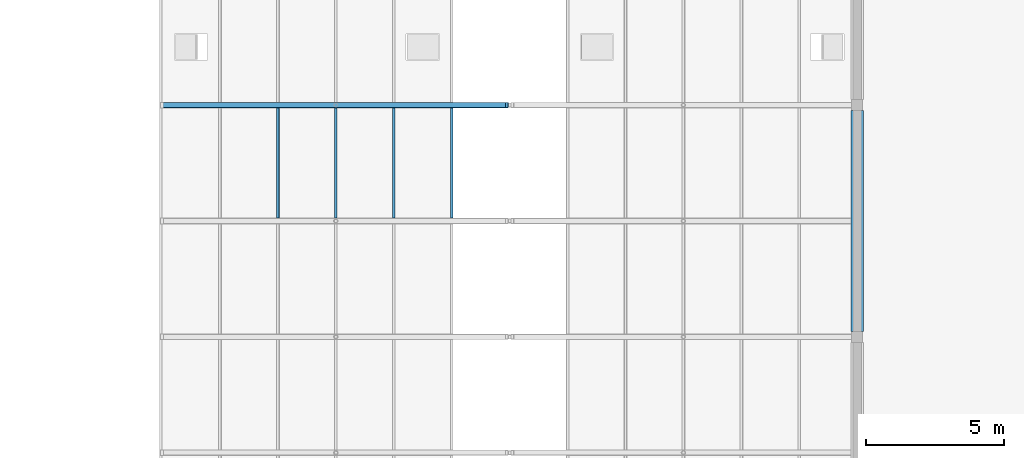
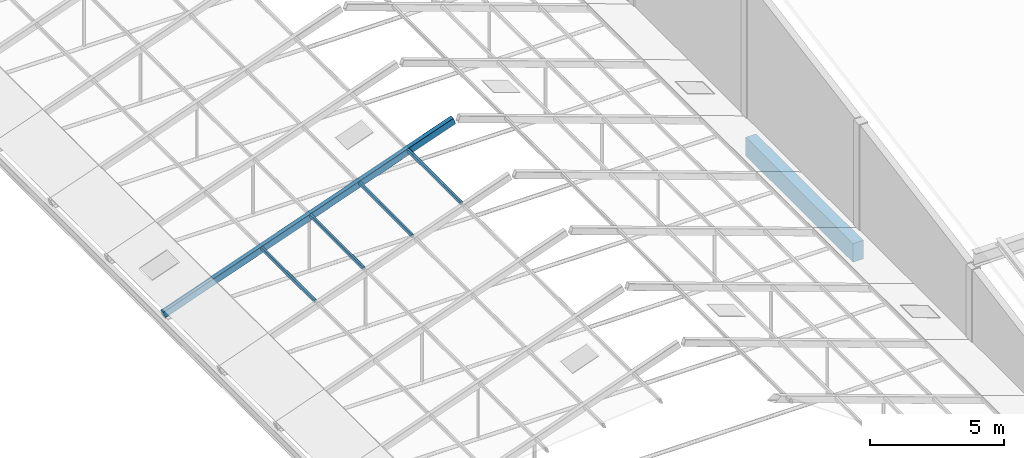
# One storey, part 53 of 116: 5 members, 1 beam.
"""IFC4 building model written with IfcOpenShell, lengths in metres."""

from ifc_helpers import new_model, si_unit, direction, frame, origin, origin_2d, place, context, subcontext, project, spatial, rectangle, hollow_rectangle, extrude, material, material_profile, profile_set, type_object, element, save


model = new_model("IFC4")

# Units and contexts
model_context = context("Model", 3, precision=1e-05, world=origin(), true_north=direction((0.0, 1.0)))
body_context = subcontext(model_context, "Body", "Model", "MODEL_VIEW")
ifc_project = project(units=[si_unit("LENGTHUNIT", "METRE"), si_unit("AREAUNIT", "SQUARE_METRE"), si_unit("VOLUMEUNIT", "CUBIC_METRE"), si_unit("PLANEANGLEUNIT", "RADIAN"), si_unit("MASSUNIT", "GRAM", prefix="KILO")], contexts=[model_context])

# Site, building, storey
site_placement = place(None, origin())
site = spatial("IfcSite", under=ifc_project, at=site_placement, CompositionType="ELEMENT")
building_placement = place(site_placement, origin())
building = spatial("IfcBuilding", under=site, at=building_placement, Name="Fescue Hill Polytechnic", CompositionType="ELEMENT")
storey_placement = place(building_placement, frame((0.0, 0.0, 13.5)))
storey = spatial("IfcBuildingStorey", under=building, at=storey_placement, Name="L03", CompositionType="ELEMENT", Elevation=13.5)

# Beam
ifc_material_1 = material(Name="Concrete 35 MPa", Category="concrete")
ifc_material_profile_1 = material_profile(ifc_material_1, rectangle(XDim=0.449951171875, YDim=0.85009765625, at=origin_2d()), Name="RC 450x850")
ifc_profile_set_1 = profile_set([ifc_material_profile_1], Name="Concrete 35 MPa")
beam_type = type_object("IfcBeamType", Name="Beam RC 450x850", PredefinedType="BEAM", material=ifc_profile_set_1)
beam_placement = place(storey_placement, frame((117.60009765625, 83.800048828125, -0.425048828125), z_axis=(0.0, -1.0, 0.0), x_axis=(1.0, 0.0, 0.0)))
element("IfcBeam", 1, at=beam_placement, inside=storey, type_object=beam_type, Name="BM-L03-0143", PredefinedType="BEAM", context=body_context, shape_type="SweptSolid", body=[
    extrude(rectangle(XDim=0.449951171875, YDim=0.85009765625, at=origin_2d()), origin(), (0.0, 0.0, 1.0), 8.0),
])

# Members
ifc_material_2 = material(Name="Steel 350W (350 MPa)", Category="steel")
ifc_material_profile_2 = material_profile(ifc_material_2, hollow_rectangle(XDim=0.1015625, YDim=0.15234375, WallThickness=0.00634765625, InnerFilletRadius=0.00634765625, OuterFilletRadius=0.0126953125, at=origin_2d()), Name="Winter garden glazing purlin HSS 152x102x6.4")
ifc_profile_set_2 = profile_set([ifc_material_profile_2], Name="Steel 350W (350 MPa)")
member_type_1 = type_object("IfcMemberType", Name="Winter garden glazing purlin HSS 152x102x6.4", PredefinedType="PURLIN", material=ifc_profile_set_2)
for number, where, z_axis, x_axis, name in (
    (2, (96.599853515625, 79.901611328125, 2.164306640625), (0.0, 1.0, 0.0), (-1.0, 0.0, 0.0), "Winter garden glazing purlin W2 bay 8"),
    (3, (98.69970703125, 79.901611328125, 2.914306640625), (0.0, 1.0, 0.0), (-1.0, 0.0, 0.0), "Winter garden glazing purlin W3 bay 8"),
    (4, (100.799560546875, 79.901611328125, 3.664306640625), (0.0, 1.0, 0.0), (-1.0, 0.0, 0.0), "Winter garden glazing purlin W4 bay 8"),
    (5, (102.899658203125, 79.901611328125, 4.414306640625), (0.0, 1.0, 0.0), (-1.0, 0.0, 0.0), "Winter garden glazing purlin W5 bay 8"),
):
    element("IfcMember", number, at=place(storey_placement, frame(where, z_axis=z_axis, x_axis=x_axis)), inside=storey, type_object=member_type_1, Name=name, PredefinedType="PURLIN", context=body_context, shape_type="SweptSolid", body=[
        extrude(hollow_rectangle(XDim=0.1015625, YDim=0.15234375, WallThickness=0.00634765625, InnerFilletRadius=0.00634765625, OuterFilletRadius=0.0126953125, at=origin_2d()), origin(), (0.0, 0.0, 1.0), 3.996826171875),
    ])
ifc_material_profile_3 = material_profile(ifc_material_2, hollow_rectangle(XDim=0.203125, YDim=0.3046875, WallThickness=0.009521484375, InnerFilletRadius=0.009521484375, OuterFilletRadius=0.01904296875, at=origin_2d()), Name="Winter garden rafter HSS 305x203x9.5")
ifc_profile_set_3 = profile_set([ifc_material_profile_3], Name="Steel 350W (350 MPa)")
member_type_2 = type_object("IfcMemberType", Name="Winter garden rafter HSS 305x203x9.5", PredefinedType="RAFTER", material=ifc_profile_set_3)
member_placement = place(storey_placement, frame((92.39990234375, 84.0, 0.578857421875), z_axis=(0.941740247025, 0.0, 0.336341057756), x_axis=(0.0, 1.0, 0.0)))
element("IfcMember", 6, at=member_placement, inside=storey, type_object=member_type_2, Name="Winter garden rafter W9", PredefinedType="RAFTER", context=body_context, shape_type="SweptSolid", body=[
    extrude(hollow_rectangle(XDim=0.203125, YDim=0.3046875, WallThickness=0.009521484375, InnerFilletRadius=0.009521484375, OuterFilletRadius=0.01904296875, at=origin_2d()), origin(), (0.0, 0.0, 1.0), 13.273193359375),
])

save(model, "model.ifc")
